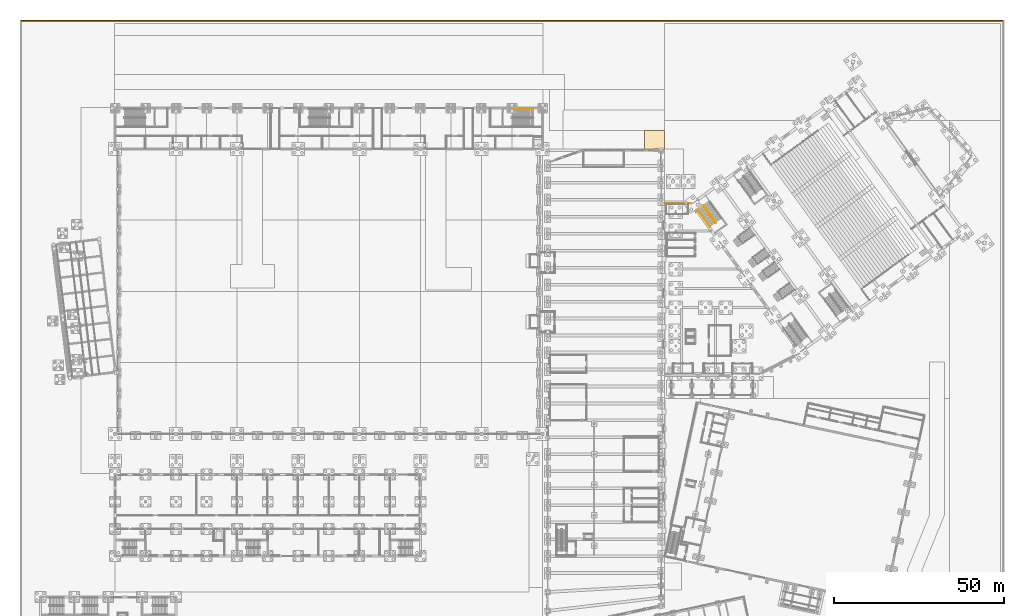
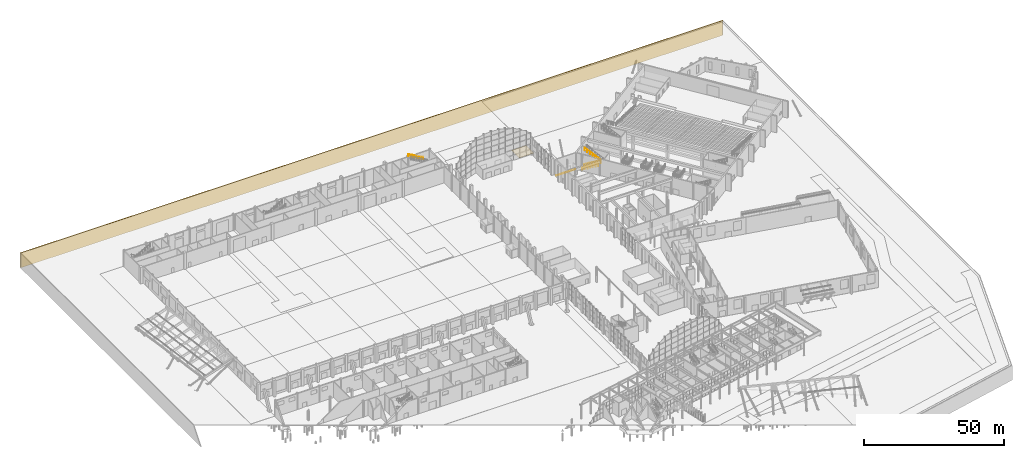
# One storey, part 233 of 239: 4 railings, 3 coverings.
"""IFC4 building model written with IfcOpenShell, lengths in metres."""

from ifc_helpers import new_model, si_unit, direction, frame, origin, origin_2d, place, context, subcontext, project, spatial, polyline, circle, outline, extrude, material, layer, layer_set, type_object, element, save


model = new_model("IFC4")

# Units and contexts
model_context = context("Model", 3, precision=1e-05, world=origin(), true_north=direction((0.0, 1.0)))
body_context = subcontext(model_context, "Body", "Model", "MODEL_VIEW")
ifc_project = project(units=[si_unit("LENGTHUNIT", "METRE"), si_unit("AREAUNIT", "SQUARE_METRE"), si_unit("VOLUMEUNIT", "CUBIC_METRE"), si_unit("PLANEANGLEUNIT", "RADIAN"), si_unit("MASSUNIT", "GRAM", prefix="KILO")], contexts=[model_context])

# Site, building, storey
site_placement = place(None, origin())
site = spatial("IfcSite", under=ifc_project, at=site_placement, CompositionType="ELEMENT")
building_placement = place(site_placement, origin())
building = spatial("IfcBuilding", under=site, at=building_placement, Name="Okhra Congress Centre", CompositionType="ELEMENT")
storey_placement = place(building_placement, origin())
storey = spatial("IfcBuildingStorey", under=building, at=storey_placement, Name="L00", CompositionType="ELEMENT", Elevation=0.0)

# Coverings
ifc_material_1 = material(Name="Compacted engineered fill face with geotextile and turf")
ifc_layer_1 = layer(ifc_material_1, 0.300048828125)
ifc_layer_set_1 = layer_set([ifc_layer_1], Name="Site ground edge (engineered fill face)")
covering_type_1 = type_object("IfcCoveringType", Name="Site ground edge (engineered fill face)", PredefinedType="USERDEFINED", material=ifc_layer_set_1)
covering_1_placement = place(storey_placement, frame((0.0, 0.0, -6.5)))
element("IfcCovering", 1, at=covering_1_placement, inside=storey, type_object=covering_type_1, Name="Site ground edge (engineered fill face) 8", ObjectType="Site ground edge (engineered fill face)", PredefinedType="USERDEFINED", context=body_context, shape_type="SweptSolid", body=[
    extrude(outline(polyline([(290.0, 254.0), (0.0, 254.0), (0.300048828125, 253.699951171875), (289.699951171875, 253.699951171875), (290.0, 254.0)])), origin(), (0.0, 0.0, 1.0), 6.449951171875),
])
ifc_material_2 = material(Name="Compacted engineered fill with topsoil and grass or paving bed")
ifc_layer_2 = layer(ifc_material_2, 0.050048828125)
ifc_layer_set_2 = layer_set([ifc_layer_2], Name="Site ground surface (engineered fill and landscape)")
covering_type_2 = type_object("IfcCoveringType", Name="Site ground surface (engineered fill and landscape)", PredefinedType="FLOORING", material=ifc_layer_set_2)
covering_2_placement = place(storey_placement, frame((0.0, 0.0, -0.10009765625)))
element("IfcCovering", 2, at=covering_2_placement, inside=storey, type_object=covering_type_2, Name="Site ground surface (engineered fill and landscape) 22", PredefinedType="FLOORING", context=body_context, shape_type="SweptSolid", body=[
    extrude(outline(polyline([(190.00048828125, 199.949462890625), (190.00048828125, 199.79052734375), (197.825927734375, 199.79052734375), (197.760498046875, 199.880615234375), (197.855224609375, 199.949462890625), (190.00048828125, 199.949462890625)])), origin(), (0.0, 0.0, 1.0), 0.050048828125),
])
covering_3_placement = place(storey_placement, frame((0.0, 0.0, -0.10009765625)))
element("IfcCovering", 3, at=covering_3_placement, inside=storey, type_object=covering_type_2, Name="Site ground surface (engineered fill and landscape) 23", PredefinedType="FLOORING", context=body_context, shape_type="SweptSolid", body=[
    extrude(outline(polyline([(189.99951171875, 221.49951171875), (184.00048828125, 221.49951171875), (184.00048828125, 216.00048828125), (188.49951171875, 216.00048828125), (188.49951171875, 216.1005859375), (189.50048828125, 216.1005859375), (189.50048828125, 216.00048828125), (189.99951171875, 216.00048828125), (189.99951171875, 221.49951171875)])), origin(), (0.0, 0.0, 1.0), 0.050048828125),
])

# Railings
ifc_material_3 = material(Name="Painted steel tube handrail on wall brackets", Category="steel")
railing_type_1 = type_object("IfcRailingType", Name="Steel handrail 900", PredefinedType="HANDRAIL", material=ifc_material_3)
railing_1_placement = place(storey_placement, frame((151.27490234375, 227.77490234375, 3.763671875)))
element("IfcRailing", 4, at=railing_1_placement, inside=storey, type_object=railing_type_1, Name="L00 ES3 stair handrail 2", PredefinedType="HANDRAIL", context=body_context, shape_type="SweptSolid", body=[
    extrude(circle(Radius=0.02392578125, at=origin_2d()), frame((0.0, 0.0, 0.8759765625), z_axis=(-0.877894272721, 0.0, 0.47885451436), x_axis=(0.0, -1.0, 0.0)), (0.0, 0.0, 1.0), 7.176025390625),
    extrude(circle(Radius=0.02099609375, at=origin_2d()), origin(), (0.0, 0.0, 1.0), 0.851806640625),
    extrude(circle(Radius=0.02099609375, at=origin_2d()), frame((-1.050048828125, 0.0, 0.57275390625)), (0.0, 0.0, 1.0), 0.851806640625),
    extrude(circle(Radius=0.02099609375, at=origin_2d()), frame((-2.099853515625, 0.0, 1.1455078125)), (0.0, 0.0, 1.0), 0.851806640625),
    extrude(circle(Radius=0.02099609375, at=origin_2d()), frame((-3.14990234375, 0.0, 1.71826171875)), (0.0, 0.0, 1.0), 0.851806640625),
    extrude(circle(Radius=0.02099609375, at=origin_2d()), frame((-4.199951171875, 0.0, 2.290771484375)), (0.0, 0.0, 1.0), 0.851806640625),
    extrude(circle(Radius=0.02099609375, at=origin_2d()), frame((-5.249755859375, 0.0, 2.863525390625)), (0.0, 0.0, 1.0), 0.851806640625),
    extrude(circle(Radius=0.02099609375, at=origin_2d()), frame((-6.2998046875, 0.0, 3.436279296875)), (0.0, 0.0, 1.0), 0.851806640625),
])
railing_2_placement = place(storey_placement, frame((199.653564453125, 198.04150390625, 0.16357421875)))
element("IfcRailing", 5, at=railing_2_placement, inside=storey, type_object=railing_type_1, Name="L00 C3 stair handrail 1", PredefinedType="HANDRAIL", context=body_context, shape_type="SweptSolid", body=[
    extrude(circle(Radius=0.02392578125, at=origin_2d()), frame((0.0, 0.0, 0.8759765625), z_axis=(0.516023039251, -0.710212089096, 0.478872646394), x_axis=(0.809004127975, 0.587802960966, 0.0)), (0.0, 0.0, 1.0), 7.17626953125),
    extrude(circle(Radius=0.02099609375, at=origin_2d()), origin(), (0.0, 0.0, 1.0), 0.851806640625),
    extrude(circle(Radius=0.02099609375, at=origin_2d()), frame((0.6171875, -0.849365234375, 0.57275390625)), (0.0, 0.0, 1.0), 0.851806640625),
    extrude(circle(Radius=0.02099609375, at=origin_2d()), frame((1.234375, -1.698974609375, 1.1455078125)), (0.0, 0.0, 1.0), 0.851806640625),
    extrude(circle(Radius=0.02099609375, at=origin_2d()), frame((1.8515625, -2.54833984375, 1.71826171875)), (0.0, 0.0, 1.0), 0.851806640625),
    extrude(circle(Radius=0.02099609375, at=origin_2d()), frame((2.46875, -3.397705078125, 2.291015625)), (0.0, 0.0, 1.0), 0.851806640625),
    extrude(circle(Radius=0.02099609375, at=origin_2d()), frame((3.0859375, -4.247314453125, 2.86376953125)), (0.0, 0.0, 1.0), 0.851806640625),
    extrude(circle(Radius=0.02099609375, at=origin_2d()), frame((3.703125, -5.0966796875, 3.4365234375)), (0.0, 0.0, 1.0), 0.851806640625),
])
ifc_material_4 = material(Name="Painted steel tube guard with vertical steel balusters", Category="steel")
railing_type_2 = type_object("IfcRailingType", Name="Steel stair guard 1200", PredefinedType="GUARDRAIL", material=ifc_material_4)
railing_3_placement = place(storey_placement, frame((201.271728515625, 199.217041015625, 0.16357421875)))
element("IfcRailing", 6, at=railing_3_placement, inside=storey, type_object=railing_type_2, Name="L00 C3 stair guard 1", PredefinedType="GUARDRAIL", context=body_context, shape_type="SweptSolid", body=[
    extrude(circle(Radius=0.02392578125, at=origin_2d()), frame((0.0, 0.0, 1.17578125), z_axis=(0.51599807706, -0.710224557046, 0.478881053122), x_axis=(0.809022556326, 0.587777596848, 0.0)), (0.0, 0.0, 1.0), 7.17626953125),
    extrude(circle(Radius=0.02099609375, at=origin_2d()), origin(), (0.0, 0.0, 1.0), 1.15185546875),
    extrude(circle(Radius=0.02099609375, at=origin_2d()), frame((0.6171875, -0.849365234375, 0.57275390625)), (0.0, 0.0, 1.0), 1.15185546875),
    extrude(circle(Radius=0.02099609375, at=origin_2d()), frame((1.234375, -1.698974609375, 1.1455078125)), (0.0, 0.0, 1.0), 1.15185546875),
    extrude(circle(Radius=0.02099609375, at=origin_2d()), frame((1.8515625, -2.54833984375, 1.71826171875)), (0.0, 0.0, 1.0), 1.15185546875),
    extrude(circle(Radius=0.02099609375, at=origin_2d()), frame((2.468505859375, -3.397705078125, 2.291015625)), (0.0, 0.0, 1.0), 1.15185546875),
    extrude(circle(Radius=0.02099609375, at=origin_2d()), frame((3.085693359375, -4.247314453125, 2.86376953125)), (0.0, 0.0, 1.0), 1.15185546875),
    extrude(circle(Radius=0.02099609375, at=origin_2d()), frame((3.702880859375, -5.0966796875, 3.4365234375)), (0.0, 0.0, 1.0), 1.15185546875),
])
railing_4_placement = place(storey_placement, frame((205.177001953125, 194.267333984375, 3.763671875)))
element("IfcRailing", 7, at=railing_4_placement, inside=storey, type_object=railing_type_2, Name="L00 C3 stair guard 3", PredefinedType="GUARDRAIL", context=body_context, shape_type="SweptSolid", body=[
    extrude(circle(Radius=0.02392578125, at=origin_2d()), frame((0.0, 0.0, 1.17578125), z_axis=(-0.516031445942, 0.710223659381, 0.478846426796), x_axis=(-0.809004127975, -0.587802960966, 0.0)), (0.0, 0.0, 1.0), 7.17626953125),
    extrude(circle(Radius=0.02099609375, at=origin_2d()), origin(), (0.0, 0.0, 1.0), 1.15185546875),
    extrude(circle(Radius=0.02099609375, at=origin_2d()), frame((-0.6171875, 0.849365234375, 0.57275390625)), (0.0, 0.0, 1.0), 1.15185546875),
    extrude(circle(Radius=0.02099609375, at=origin_2d()), frame((-1.234375, 1.698974609375, 1.1455078125)), (0.0, 0.0, 1.0), 1.15185546875),
    extrude(circle(Radius=0.02099609375, at=origin_2d()), frame((-1.8515625, 2.54833984375, 1.71826171875)), (0.0, 0.0, 1.0), 1.15185546875),
    extrude(circle(Radius=0.02099609375, at=origin_2d()), frame((-2.46875, 3.397705078125, 2.290771484375)), (0.0, 0.0, 1.0), 1.15185546875),
    extrude(circle(Radius=0.02099609375, at=origin_2d()), frame((-3.0859375, 4.247314453125, 2.863525390625)), (0.0, 0.0, 1.0), 1.15185546875),
    extrude(circle(Radius=0.02099609375, at=origin_2d()), frame((-3.703125, 5.0966796875, 3.436279296875)), (0.0, 0.0, 1.0), 1.15185546875),
])

save(model, "model.ifc")
